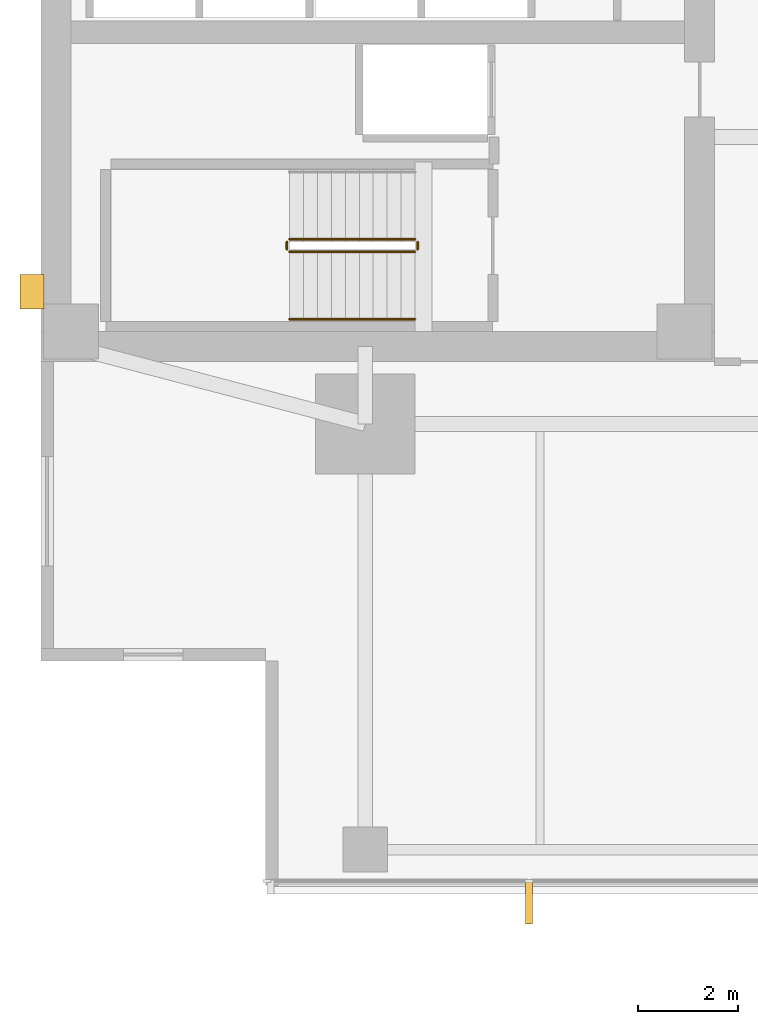
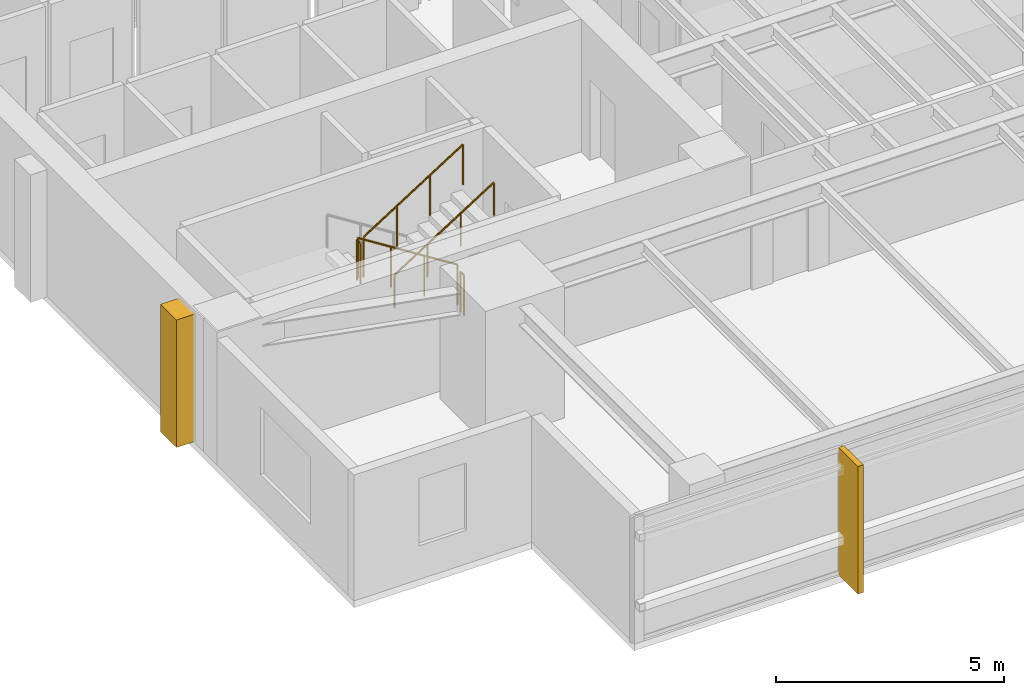
# One storey, part 11 of 14: 5 railings, 2 coverings.
"""IFC4 building model written with IfcOpenShell, lengths in metres."""

from ifc_helpers import new_model, si_unit, direction, frame, origin, origin_2d, place, context, subcontext, project, spatial, polyline, circle, outline, extrude, material, layer, layer_set, type_object, element, save


model = new_model("IFC4")

# Units and contexts
model_context = context("Model", 3, precision=1e-05, world=origin(), true_north=direction((0.0, 1.0)))
body_context = subcontext(model_context, "Body", "Model", "MODEL_VIEW")
ifc_project = project(units=[si_unit("LENGTHUNIT", "METRE"), si_unit("AREAUNIT", "SQUARE_METRE"), si_unit("VOLUMEUNIT", "CUBIC_METRE"), si_unit("PLANEANGLEUNIT", "RADIAN"), si_unit("MASSUNIT", "GRAM", prefix="KILO")], contexts=[model_context])

# Site, building, storey
site_placement = place(None, origin())
site = spatial("IfcSite", under=ifc_project, at=site_placement, CompositionType="ELEMENT")
building_placement = place(site_placement, origin())
building = spatial("IfcBuilding", under=site, at=building_placement, Name="Kinhvarn Gate Tower", CompositionType="ELEMENT")
storey_placement = place(building_placement, frame((0.0, 0.0, 144.85009765625)))
storey = spatial("IfcBuildingStorey", under=building, at=storey_placement, Name="L38", CompositionType="ELEMENT", Elevation=144.85009765625)

# Coverings
ifc_material_1 = material(Name="Fired architectural terracotta", Category="masonry")
ifc_layer_1 = layer(ifc_material_1, 0.139892578125)
ifc_layer_set_1 = layer_set([ifc_layer_1], Name="Fired architectural terracotta")
covering_type_1 = type_object("IfcCoveringType", Name="COV-FIN-850", PredefinedType="CLADDING", material=ifc_layer_set_1)
covering_1_placement = place(storey_placement, frame((0.0, 0.0, -0.02001953125)))
element("IfcCovering", 1, at=covering_1_placement, inside=storey, type_object=covering_type_1, Name="Vertical Terracotta Expressive Fin TFN-850 (L38)", PredefinedType="CLADDING", context=body_context, shape_type="SweptSolid", body=[
    extrude(outline(polyline([(14.2158203125, 3.580078125), (14.355712890625, 3.580078125), (14.355712890625, 2.72998046875), (14.2158203125, 2.72998046875), (14.2158203125, 3.580078125)])), origin(), (0.0, 0.0, 1.0), 3.409912109375),
])
ifc_material_2 = material(Name="Precast white architectural concrete C40/50", Category="concrete")
ifc_layer_2 = layer(ifc_material_2, 0.47998046875)
ifc_layer_set_2 = layer_set([ifc_layer_2], Name="Precast white architectural concrete C40/50")
covering_type_2 = type_object("IfcCoveringType", Name="COV-RIB-450", PredefinedType="CLADDING", material=ifc_layer_set_2)
covering_2_placement = place(storey_placement, frame((0.0, 0.0, -0.02001953125)))
element("IfcCovering", 2, at=covering_2_placement, inside=storey, type_object=covering_type_2, Name="West Core Sculptural Concrete Relief Rib CRB-450 (L38)", PredefinedType="CLADDING", context=body_context, shape_type="SweptSolid", body=[
    extrude(outline(polyline([(4.080078125, 15.050048828125), (4.56005859375, 15.050048828125), (4.56005859375, 15.75), (4.080078125, 15.75), (4.080078125, 15.050048828125)])), origin(), (0.0, 0.0, 1.0), 3.409912109375),
])

# Railings
ifc_material_3 = material(Name="Steel S355", Category="steel")
railing_type_1 = type_object("IfcRailingType", Name="RL-ST-GRD", PredefinedType="BALUSTRADE", material=ifc_material_3)
railing_1_placement = place(storey_placement, frame((12.0, 16.449951171875, 0.177490234375)))
element("IfcRailing", 3, at=railing_1_placement, inside=storey, type_object=railing_type_1, Name="L38 ST1 stair guard 1", PredefinedType="BALUSTRADE", context=body_context, shape_type="SweptSolid", body=[
    extrude(circle(Radius=0.02392578125, at=origin_2d()), frame((0.0, 0.0, 1.076171875), z_axis=(-0.84460694969, 0.0, 0.535386869969), x_axis=(0.0, -1.0, 0.0)), (0.0, 0.0, 1.0), 2.983642578125),
    extrude(circle(Radius=0.02099609375, at=origin_2d()), origin(), (0.0, 0.0, 1.0), 1.052001953125),
    extrude(circle(Radius=0.02099609375, at=origin_2d()), frame((-0.840087890625, 0.0, 0.532470703125)), (0.0, 0.0, 1.0), 1.052001953125),
    extrude(circle(Radius=0.02099609375, at=origin_2d()), frame((-1.679931640625, 0.0, 1.06494140625)), (0.0, 0.0, 1.0), 1.052001953125),
    extrude(circle(Radius=0.02099609375, at=origin_2d()), frame((-2.52001953125, 0.0, 1.597412109375)), (0.0, 0.0, 1.0), 1.052001953125),
])
railing_2_placement = place(storey_placement, frame((9.429931640625, 16.39990234375, 1.77490234375)))
element("IfcRailing", 4, at=railing_2_placement, inside=storey, type_object=railing_type_1, Name="L38 ST1 stair guard 2", PredefinedType="BALUSTRADE", context=body_context, shape_type="SweptSolid", body=[
    extrude(circle(Radius=0.02392578125, at=origin_2d()), frame((0.0, 0.0, 1.076171875), z_axis=(0.0, -1.0, 0.0), x_axis=(1.0, 0.0, 0.0)), (0.0, 0.0, 1.0), 0.14990234375),
    extrude(circle(Radius=0.02099609375, at=origin_2d()), origin(), (0.0, 0.0, 1.0), 1.052001953125),
    extrude(circle(Radius=0.02099609375, at=origin_2d()), frame((0.0, -0.14990234375, 0.0)), (0.0, 0.0, 1.0), 1.052001953125),
])
railing_3_placement = place(storey_placement, frame((9.47998046875, 16.199951171875, 1.952392578125)))
element("IfcRailing", 5, at=railing_3_placement, inside=storey, type_object=railing_type_1, Name="L38 ST1 stair guard 3", PredefinedType="BALUSTRADE", context=body_context, shape_type="SweptSolid", body=[
    extrude(circle(Radius=0.02392578125, at=origin_2d()), frame((0.0, 0.0, 1.076171875), z_axis=(0.84460694969, 0.0, 0.535386869969), x_axis=(0.0, 1.0, 0.0)), (0.0, 0.0, 1.0), 2.983642578125),
    extrude(circle(Radius=0.02099609375, at=origin_2d()), origin(), (0.0, 0.0, 1.0), 1.052001953125),
    extrude(circle(Radius=0.02099609375, at=origin_2d()), frame((0.840087890625, 0.0, 0.532470703125)), (0.0, 0.0, 1.0), 1.052001953125),
    extrude(circle(Radius=0.02099609375, at=origin_2d()), frame((1.679931640625, 0.0, 1.06494140625)), (0.0, 0.0, 1.0), 1.052001953125),
    extrude(circle(Radius=0.02099609375, at=origin_2d()), frame((2.52001953125, 0.0, 1.597412109375)), (0.0, 0.0, 1.0), 1.052001953125),
])
railing_4_placement = place(storey_placement, frame((12.050048828125, 16.39990234375, 0.0)))
element("IfcRailing", 6, at=railing_4_placement, inside=storey, type_object=railing_type_1, Name="L38 ST1 stair guard 4", PredefinedType="BALUSTRADE", context=body_context, shape_type="SweptSolid", body=[
    extrude(circle(Radius=0.02392578125, at=origin_2d()), frame((0.0, 0.0, 1.076171875), z_axis=(0.0, -1.0, 0.0), x_axis=(1.0, 0.0, 0.0)), (0.0, 0.0, 1.0), 0.14990234375),
    extrude(circle(Radius=0.02099609375, at=origin_2d()), origin(), (0.0, 0.0, 1.0), 1.052001953125),
    extrude(circle(Radius=0.02099609375, at=origin_2d()), frame((0.0, -0.14990234375, 0.0)), (0.0, 0.0, 1.0), 1.052001953125),
])
railing_type_2 = type_object("IfcRailingType", Name="RL-ST-HND", PredefinedType="HANDRAIL", material=ifc_material_3)
railing_5_placement = place(storey_placement, frame((9.47998046875, 14.85009765625, 1.952392578125)))
element("IfcRailing", 7, at=railing_5_placement, inside=storey, type_object=railing_type_2, Name="L38 ST1 stair handrail 2", PredefinedType="HANDRAIL", context=body_context, shape_type="SweptSolid", body=[
    extrude(circle(Radius=0.02392578125, at=origin_2d()), frame((0.0, 0.0, 0.8759765625), z_axis=(0.84460694969, 0.0, 0.535386869969), x_axis=(0.0, 1.0, 0.0)), (0.0, 0.0, 1.0), 2.983642578125),
    extrude(circle(Radius=0.02099609375, at=origin_2d()), origin(), (0.0, 0.0, 1.0), 0.851806640625),
    extrude(circle(Radius=0.02099609375, at=origin_2d()), frame((0.840087890625, 0.0, 0.532470703125)), (0.0, 0.0, 1.0), 0.851806640625),
    extrude(circle(Radius=0.02099609375, at=origin_2d()), frame((1.679931640625, 0.0, 1.06494140625)), (0.0, 0.0, 1.0), 0.851806640625),
    extrude(circle(Radius=0.02099609375, at=origin_2d()), frame((2.52001953125, 0.0, 1.597412109375)), (0.0, 0.0, 1.0), 0.851806640625),
])

save(model, "model.ifc")
